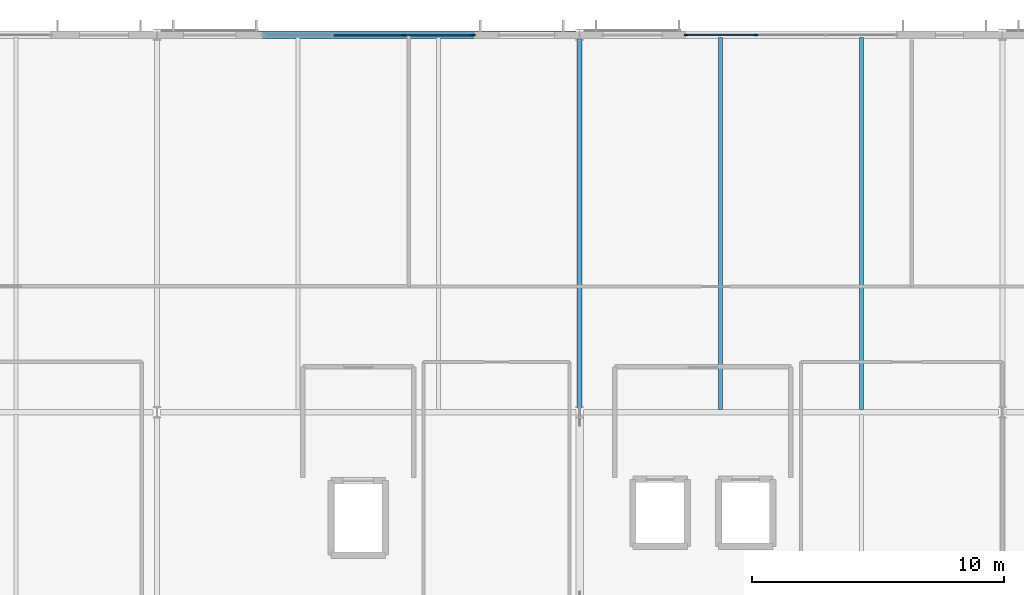
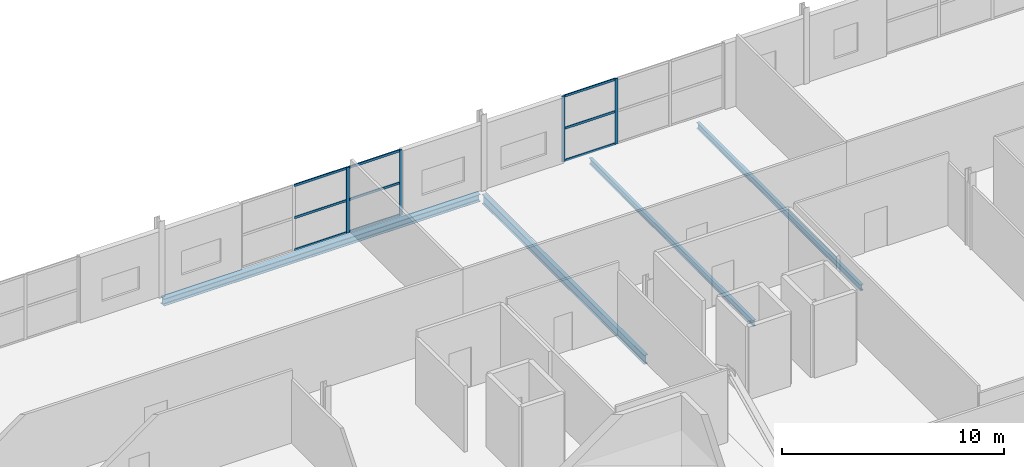
# One storey, part 15 of 39: 13 members, 4 beams, 2 elements without a shape of their own.
"""IFC4 building model written with IfcOpenShell, lengths in metres."""

from ifc_helpers import new_model, si_unit, direction, frame, origin, origin_2d, place, context, subcontext, project, spatial, rectangle, i_section, extrude, material, material_profile, profile_set, type_object, element, aggregate, save


model = new_model("IFC4")

# Units and contexts
model_context = context("Model", 3, precision=1e-05, world=origin(), true_north=direction((0.0, 1.0)))
body_context = subcontext(model_context, "Body", "Model", "MODEL_VIEW")
ifc_project = project(units=[si_unit("LENGTHUNIT", "METRE"), si_unit("AREAUNIT", "SQUARE_METRE"), si_unit("VOLUMEUNIT", "CUBIC_METRE"), si_unit("PLANEANGLEUNIT", "RADIAN"), si_unit("MASSUNIT", "GRAM", prefix="KILO")], contexts=[model_context])

# Site, building, storey
site_placement = place(None, origin())
site = spatial("IfcSite", under=ifc_project, at=site_placement, CompositionType="ELEMENT")
building_placement = place(site_placement, origin())
building = spatial("IfcBuilding", under=site, at=building_placement, Name="Kimbaza Rail Terminus", CompositionType="ELEMENT")
storey_placement = place(building_placement, frame((0.0, 0.0, 16.800048828125)))
storey = spatial("IfcBuildingStorey", under=building, at=storey_placement, Name="L03", CompositionType="ELEMENT", Elevation=16.800048828125)

# Curtain wall, members
ifc_material_1 = material(Name="Anodised aluminium framing and solar low-E glazing", Category="aluminium")
curtain_wall_type = type_object("IfcCurtainWallType", Name="ARC-CW-OP2", PredefinedType="USERDEFINED", material=ifc_material_1)
curtain_wall_1_placement = place(storey_placement, origin())
curtain_wall_1 = element("IfcCurtainWall", 1, at=curtain_wall_1_placement, inside=storey, type_object=curtain_wall_type, Name="Operations North Curtain Wall L03 Bay 2", ObjectType="STICK CURTAIN WALL", PredefinedType="USERDEFINED")
ifc_material_2 = material(Name="Anodised architectural aluminium", Category="aluminium")
ifc_material_profile_1 = material_profile(ifc_material_2, rectangle(XDim=0.05810546875, YDim=0.14990234375, at=origin_2d()), Name="MULLION 58x150")
ifc_profile_set_1 = profile_set([ifc_material_profile_1], Name="Anodised architectural aluminium")
member_type_1 = type_object("IfcMemberType", Name="ARC-CWM-06", PredefinedType="MULLION", material=ifc_profile_set_1)
member_1_placement = place(storey_placement, frame((81.800048828125, 133.0, 0.0), z_axis=(0.0, 0.0, 1.0), x_axis=(0.0, 1.0, 0.0)))
member_1 = element("IfcMember", 2, at=member_1_placement, type_object=member_type_1, Name="CW-06 mullion 3", PredefinedType="MULLION", context=body_context, shape_type="SweptSolid", body=[
    extrude(rectangle(XDim=0.05810546875, YDim=0.14990234375, at=origin_2d()), origin(), (0.0, 0.0, 1.0), 3.60498046875),
])
member_2_placement = place(storey_placement, frame((84.571044921875, 133.0, 0.0), z_axis=(0.0, 0.0, 1.0), x_axis=(0.0, 1.0, 0.0)))
member_2 = element("IfcMember", 3, at=member_2_placement, type_object=member_type_1, Name="CW-06 mullion 4", PredefinedType="MULLION", context=body_context, shape_type="SweptSolid", body=[
    extrude(rectangle(XDim=0.05810546875, YDim=0.14990234375, at=origin_2d()), origin(), (0.0, 0.0, 1.0), 3.60498046875),
])

curtain_wall_2_placement = place(storey_placement, origin())
curtain_wall_2 = element("IfcCurtainWall", 4, at=curtain_wall_2_placement, inside=storey, type_object=curtain_wall_type, Name="Operations North Curtain Wall L03 Bay 3", ObjectType="STICK CURTAIN WALL", PredefinedType="USERDEFINED")
member_3_placement = place(storey_placement, frame((93.029052734375, 133.0, 0.0), z_axis=(0.0, 0.0, 1.0), x_axis=(0.0, 1.0, 0.0)))
member_3 = element("IfcMember", 5, at=member_3_placement, type_object=member_type_1, Name="CW-06 mullion 1", PredefinedType="MULLION", context=body_context, shape_type="SweptSolid", body=[
    extrude(rectangle(XDim=0.05810546875, YDim=0.14990234375, at=origin_2d()), origin(), (0.0, 0.0, 1.0), 3.60498046875),
])
member_4_placement = place(storey_placement, frame((95.800048828125, 133.0, 0.0), z_axis=(0.0, 0.0, 1.0), x_axis=(0.0, 1.0, 0.0)))
member_4 = element("IfcMember", 6, at=member_4_placement, type_object=member_type_1, Name="CW-06 mullion 2", PredefinedType="MULLION", context=body_context, shape_type="SweptSolid", body=[
    extrude(rectangle(XDim=0.05810546875, YDim=0.14990234375, at=origin_2d()), origin(), (0.0, 0.0, 1.0), 3.60498046875),
])

# Member
ifc_material_3 = material(Name="Anodised architectural aluminium", Category="aluminium")
ifc_material_profile_2 = material_profile(ifc_material_3, rectangle(XDim=0.05810546875, YDim=0.125, at=origin_2d()), Name="TRANSOM 58x125")
ifc_profile_set_2 = profile_set([ifc_material_profile_2], Name="Anodised architectural aluminium")
member_type_2 = type_object("IfcMemberType", Name="ARC-CWT-06", PredefinedType="USERDEFINED", material=ifc_profile_set_2)
member_5_placement = place(storey_placement, frame((79.029052734375, 133.0, 0.029052734375), z_axis=(1.0, 0.0, 0.0), x_axis=(0.0, 1.0, 0.0)))
member_5 = element("IfcMember", 7, at=member_5_placement, type_object=member_type_2, Name="CW-06 transom 2.1", ObjectType="TRANSOM", PredefinedType="USERDEFINED", context=body_context, shape_type="SweptSolid", body=[
    extrude(rectangle(XDim=0.05810546875, YDim=0.125, at=origin_2d()), origin(), (0.0, 0.0, 1.0), 2.741943359375),
])

member_6_placement = place(storey_placement, frame((79.029052734375, 133.0, 1.802490234375), z_axis=(1.0, 0.0, 0.0), x_axis=(0.0, 1.0, 0.0)))
member_6 = element("IfcMember", 8, at=member_6_placement, type_object=member_type_2, Name="CW-06 transom 2.2", ObjectType="TRANSOM", PredefinedType="USERDEFINED", context=body_context, shape_type="SweptSolid", body=[
    extrude(rectangle(XDim=0.05810546875, YDim=0.125, at=origin_2d()), origin(), (0.0, 0.0, 1.0), 2.741943359375),
])

member_7_placement = place(storey_placement, frame((79.029052734375, 133.0, 3.575927734375), z_axis=(1.0, 0.0, 0.0), x_axis=(0.0, 1.0, 0.0)))
member_7 = element("IfcMember", 9, at=member_7_placement, type_object=member_type_2, Name="CW-06 transom 2.3", ObjectType="TRANSOM", PredefinedType="USERDEFINED", context=body_context, shape_type="SweptSolid", body=[
    extrude(rectangle(XDim=0.05810546875, YDim=0.125, at=origin_2d()), origin(), (0.0, 0.0, 1.0), 2.741943359375),
])

member_8_placement = place(storey_placement, frame((81.8291015625, 133.0, 0.029052734375), z_axis=(1.0, 0.0, 0.0), x_axis=(0.0, 1.0, 0.0)))
member_8 = element("IfcMember", 10, at=member_8_placement, type_object=member_type_2, Name="CW-06 transom 3.1", ObjectType="TRANSOM", PredefinedType="USERDEFINED", context=body_context, shape_type="SweptSolid", body=[
    extrude(rectangle(XDim=0.05810546875, YDim=0.125, at=origin_2d()), origin(), (0.0, 0.0, 1.0), 2.712890625),
])

member_9_placement = place(storey_placement, frame((81.8291015625, 133.0, 1.802490234375), z_axis=(1.0, 0.0, 0.0), x_axis=(0.0, 1.0, 0.0)))
member_9 = element("IfcMember", 11, at=member_9_placement, type_object=member_type_2, Name="CW-06 transom 3.2", ObjectType="TRANSOM", PredefinedType="USERDEFINED", context=body_context, shape_type="SweptSolid", body=[
    extrude(rectangle(XDim=0.05810546875, YDim=0.125, at=origin_2d()), origin(), (0.0, 0.0, 1.0), 2.712890625),
])

member_10_placement = place(storey_placement, frame((81.8291015625, 133.0, 3.575927734375), z_axis=(1.0, 0.0, 0.0), x_axis=(0.0, 1.0, 0.0)))
member_10 = element("IfcMember", 12, at=member_10_placement, type_object=member_type_2, Name="CW-06 transom 3.3", ObjectType="TRANSOM", PredefinedType="USERDEFINED", context=body_context, shape_type="SweptSolid", body=[
    extrude(rectangle(XDim=0.05810546875, YDim=0.125, at=origin_2d()), origin(), (0.0, 0.0, 1.0), 2.712890625),
])

aggregate(curtain_wall_1, [member_1, member_2, member_5, member_6, member_7, member_8, member_9, member_10])

member_11_placement = place(storey_placement, frame((93.05810546875, 133.0, 0.029052734375), z_axis=(1.0, 0.0, 0.0), x_axis=(0.0, 1.0, 0.0)))
member_11 = element("IfcMember", 13, at=member_11_placement, type_object=member_type_2, Name="CW-06 transom 1.1", ObjectType="TRANSOM", PredefinedType="USERDEFINED", context=body_context, shape_type="SweptSolid", body=[
    extrude(rectangle(XDim=0.05810546875, YDim=0.125, at=origin_2d()), origin(), (0.0, 0.0, 1.0), 2.712890625),
])

member_12_placement = place(storey_placement, frame((93.05810546875, 133.0, 1.802490234375), z_axis=(1.0, 0.0, 0.0), x_axis=(0.0, 1.0, 0.0)))
member_12 = element("IfcMember", 14, at=member_12_placement, type_object=member_type_2, Name="CW-06 transom 1.2", ObjectType="TRANSOM", PredefinedType="USERDEFINED", context=body_context, shape_type="SweptSolid", body=[
    extrude(rectangle(XDim=0.05810546875, YDim=0.125, at=origin_2d()), origin(), (0.0, 0.0, 1.0), 2.712890625),
])

member_13_placement = place(storey_placement, frame((93.05810546875, 133.0, 3.575927734375), z_axis=(1.0, 0.0, 0.0), x_axis=(0.0, 1.0, 0.0)))
member_13 = element("IfcMember", 15, at=member_13_placement, type_object=member_type_2, Name="CW-06 transom 1.3", ObjectType="TRANSOM", PredefinedType="USERDEFINED", context=body_context, shape_type="SweptSolid", body=[
    extrude(rectangle(XDim=0.05810546875, YDim=0.125, at=origin_2d()), origin(), (0.0, 0.0, 1.0), 2.712890625),
])

aggregate(curtain_wall_2, [member_3, member_4, member_11, member_12, member_13])

# Beams
ifc_material_4 = material(Name="Steel S355", Category="steel")
ifc_material_profile_3 = material_profile(ifc_material_4, i_section(OverallWidth=0.300048828125, OverallDepth=0.389892578125, WebThickness=0.010986328125, FlangeThickness=0.01904296875, FilletRadius=0.027099609375, at=origin_2d()), Name="HEA 400")
ifc_profile_set_3 = profile_set([ifc_material_profile_3], Name="Steel S355")
beam_type_1 = type_object("IfcBeamType", Name="STR-BM-HEA400", PredefinedType="SPANDREL", material=ifc_profile_set_3)
beam_1_placement = place(storey_placement, frame((72.14599609375, 133.0, -0.39501953125), z_axis=(1.0, 0.0, 0.0), x_axis=(0.0, 1.0, 0.0)))
element("IfcBeam", 16, at=beam_1_placement, inside=storey, type_object=beam_type_1, Name="Operations Girder L03 X1-Y2", PredefinedType="SPANDREL", context=body_context, shape_type="SweptSolid", body=[
    extrude(i_section(OverallWidth=0.300048828125, OverallDepth=0.389892578125, WebThickness=0.010986328125, FlangeThickness=0.01904296875, FilletRadius=0.027099609375, at=origin_2d()), origin(), (0.0, 0.0, 1.0), 16.508056640625),
])
ifc_material_5 = material(Name="Steel S355", Category="steel")
ifc_material_profile_4 = material_profile(ifc_material_5, i_section(OverallWidth=0.159912109375, OverallDepth=0.330078125, WebThickness=0.007568359375, FlangeThickness=0.011474609375, FilletRadius=0.01806640625, at=origin_2d()), Name="IPE 330")
ifc_profile_set_4 = profile_set([ifc_material_profile_4], Name="Steel S355")
beam_type_2 = type_object("IfcBeamType", Name="STR-BM-IPE330", PredefinedType="JOIST", material=ifc_profile_set_4)
for number, where, z_axis, x_axis, name in (
    (17, (94.39990234375, 118.10009765625, -0.364990234375), (0.0, 1.0, 0.0), (-1.0, 0.0, 0.0), "Operations Secondary Joist L03"),
    (18, (100.0, 118.10009765625, -0.364990234375), (0.0, 1.0, 0.0), (-1.0, 0.0, 0.0), "Operations Secondary Joist L03"),
):
    element("IfcBeam", number, at=place(storey_placement, frame(where, z_axis=z_axis, x_axis=x_axis)), inside=storey, type_object=beam_type_2, Name=name, PredefinedType="JOIST", context=body_context, shape_type="SweptSolid", body=[
        extrude(i_section(OverallWidth=0.159912109375, OverallDepth=0.330078125, WebThickness=0.007568359375, FlangeThickness=0.011474609375, FilletRadius=0.01806640625, at=origin_2d()), origin(), (0.0, 0.0, 1.0), 14.7998046875),
    ])
ifc_material_6 = material(Name="Steel S355", Category="steel")
ifc_material_profile_5 = material_profile(ifc_material_6, i_section(OverallWidth=0.199951171875, OverallDepth=0.5, WebThickness=0.01025390625, FlangeThickness=0.01611328125, FilletRadius=0.02099609375, at=origin_2d()), Name="IPE 500")
ifc_profile_set_5 = profile_set([ifc_material_profile_5], Name="Steel S355")
beam_type_3 = type_object("IfcBeamType", Name="STR-BM-IPE500", PredefinedType="BEAM", material=ifc_profile_set_5)
beam_2_placement = place(storey_placement, frame((88.800048828125, 118.175048828125, -0.449951171875), z_axis=(0.0, 1.0, 0.0), x_axis=(-1.0, 0.0, 0.0)))
element("IfcBeam", 19, at=beam_2_placement, inside=storey, type_object=beam_type_3, Name="Operations Cross Girder L03 X2-Y1", PredefinedType="BEAM", context=body_context, shape_type="SweptSolid", body=[
    extrude(i_section(OverallWidth=0.199951171875, OverallDepth=0.5, WebThickness=0.01025390625, FlangeThickness=0.01611328125, FilletRadius=0.02099609375, at=origin_2d()), origin(), (0.0, 0.0, 1.0), 14.64990234375),
])

save(model, "model.ifc")
